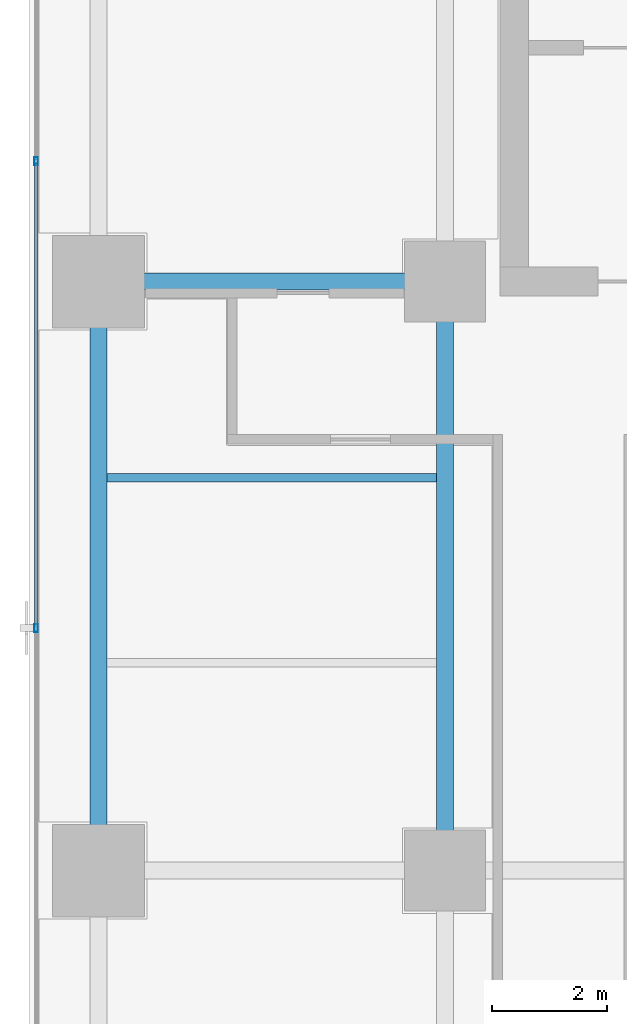
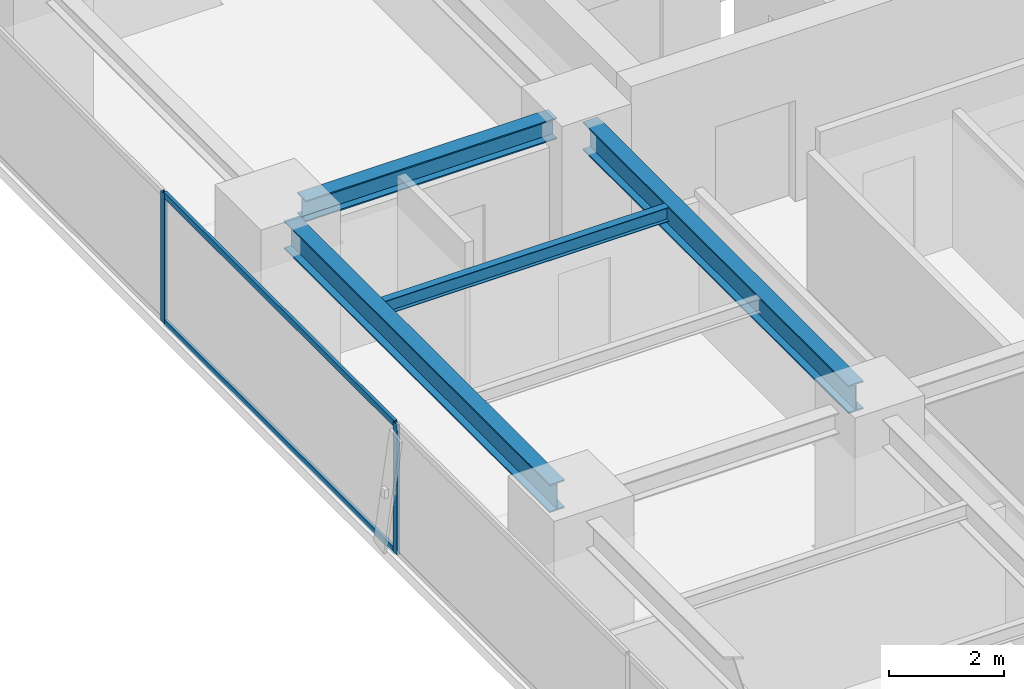
# One storey, part 8 of 29: 4 beams, 4 members, 1 element without a shape of its own.
"""IFC4 building model written with IfcOpenShell, lengths in metres."""

import ifcopenshell
import ifcopenshell.guid

model = None  # the IFC model being written
_history = None  # IfcOwnerHistory: only IFC2X3 demands one
_inside = {}  # id of a spatial element -> (the spatial element, [elements in it])
_under = {}  # id of a project, library or spatial element -> (it, [spatial elements below it])
_declared = {}  # id of a project -> (the project, [libraries it declares])
_typed = {}  # id of a type object -> (the type object, [elements of that type])
_made_of = {}  # id of a material, layer set ... -> (it, [elements and type objects made of it])


def new_model(schema):
    """Start an empty IFC model of exactly this schema.

    Asked for "IFC4X3", IfcOpenShell would pick the latest addendum, in which some entities
    have other attributes; the version numbers below select the first issue.
    IFC2X3 requires an IfcOwnerHistory on every rooted entity: one is made here for all.
    """
    global model, _history
    if schema == "IFC4X3":
        model = ifcopenshell.file(schema_version=(4, 3, 0, 0))
    else:
        model = ifcopenshell.file(schema=schema)
    _inside.clear()
    _under.clear()
    _declared.clear()
    _typed.clear()
    _made_of.clear()
    _history = None
    if model.schema == "IFC2X3":
        org = make("IfcOrganization", Name="unknown")
        user = make(
            "IfcPersonAndOrganization",
            ThePerson=make("IfcPerson", FamilyName="unknown"),
            TheOrganization=org,
        )
        app = make(
            "IfcApplication",
            ApplicationDeveloper=org,
            Version="unknown",
            ApplicationFullName="unknown",
            ApplicationIdentifier="unknown",
        )
        _history = make(
            "IfcOwnerHistory",
            OwningUser=user,
            OwningApplication=app,
            ChangeAction="ADDED",
            CreationDate=0,
        )
    return model


def make(cls, **values):
    """One entity of the class cls with the attributes given. An attribute that is None is left unset."""
    return model.create_entity(
        cls, **{name: value for name, value in values.items() if value is not None}
    )


def rooted(cls, **values):
    """An entity with a GlobalId (a new one), such as an element, a storey or a relation."""
    return make(cls, GlobalId=ifcopenshell.guid.new(), OwnerHistory=_history, **values)


def si_unit(unit_type, name, prefix=None):
    """IfcSIUnit, for example si_unit("LENGTHUNIT", "METRE", prefix="MILLI")."""
    return make("IfcSIUnit", UnitType=unit_type, Prefix=prefix, Name=name)


def assignment(units):
    """IfcUnitAssignment: the units of a project."""
    return None if units is None else make("IfcUnitAssignment", Units=units)


def point(xyz):
    """IfcCartesianPoint."""
    return None if xyz is None else make("IfcCartesianPoint", Coordinates=xyz)


def direction(xyz):
    """IfcDirection."""
    return None if xyz is None else make("IfcDirection", DirectionRatios=xyz)


def frame(location, z_axis=None, x_axis=None):
    """IfcAxis2Placement3D, a coordinate frame: its origin and axes. An axis left out is left unset."""
    return make(
        "IfcAxis2Placement3D",
        Location=point(location),
        Axis=direction(z_axis),
        RefDirection=direction(x_axis),
    )


def frame_2d(location, x_axis=None):
    """IfcAxis2Placement2D, a coordinate frame in the plane: its origin and x axis."""
    return make(
        "IfcAxis2Placement2D", Location=point(location), RefDirection=direction(x_axis)
    )


def origin():
    """The frame at (0, 0, 0) with its axes left unset."""
    return frame((0.0, 0.0, 0.0))


def origin_2d():
    """The frame at (0, 0) in the plane with its x axis left unset."""
    return frame_2d((0.0, 0.0))


def place(relative_to, where):
    """IfcLocalPlacement: puts the frame where relative to a parent placement (None: the world)."""
    return make(
        "IfcLocalPlacement", PlacementRelTo=relative_to, RelativePlacement=where
    )


def context(
    kind, dimensions, precision=None, world=None, true_north=None, identifier=None
):
    """IfcGeometricRepresentationContext, for example the 3D "Model" context."""
    return make(
        "IfcGeometricRepresentationContext",
        ContextIdentifier=identifier,
        ContextType=kind,
        CoordinateSpaceDimension=dimensions,
        Precision=precision,
        WorldCoordinateSystem=world,
        TrueNorth=true_north,
    )


def subcontext(parent, identifier, kind, view, scale=None):
    """IfcGeometricRepresentationSubContext, for example "Body" below "Model"."""
    return make(
        "IfcGeometricRepresentationSubContext",
        ContextIdentifier=identifier,
        ContextType=kind,
        ParentContext=parent,
        TargetScale=scale,
        TargetView=view,
    )


def project(units=None, contexts=None):
    """IfcProject with its units and contexts."""
    return rooted(
        "IfcProject",
        Name="project",
        RepresentationContexts=contexts,
        UnitsInContext=assignment(units),
    )


def spatial(cls, under=None, at=None, **own):
    """A site, building, storey or space (cls), placed at a placement, below another one or the project."""
    s = rooted(cls, ObjectPlacement=at, **own)
    if under is not None:
        _under.setdefault(under.id(), (under, []))[1].append(s)
    return s


def profile(cls, at=None, kind="AREA", **sizes):
    """A parametric profile (cls). Its sizes go by their IFC names, for example OverallWidth=200.0."""
    return make(cls, ProfileType=kind, Position=at, **sizes)


def hollow_rectangle(**sizes):
    """IfcRectangleHollowProfileDef."""
    return profile("IfcRectangleHollowProfileDef", **sizes)


def i_section(**sizes):
    """IfcIShapeProfileDef."""
    return profile("IfcIShapeProfileDef", **sizes)


def extrude(swept, where, along, depth):
    """IfcExtrudedAreaSolid: the profile swept, set in the frame where, extruded along a direction by depth."""
    return make(
        "IfcExtrudedAreaSolid",
        SweptArea=swept,
        Position=where,
        ExtrudedDirection=direction(along),
        Depth=depth,
    )


def shape(context_of_items, identifier, shape_type, items):
    """IfcShapeRepresentation: the items that make up one representation, for example the "Body"."""
    return make(
        "IfcShapeRepresentation",
        ContextOfItems=context_of_items,
        RepresentationIdentifier=identifier,
        RepresentationType=shape_type,
        Items=items,
    )


def source(mapping_origin, context_of_items, identifier, shape_type, items):
    """IfcRepresentationMap: a shape defined once, which mapped items show again and again."""
    return make(
        "IfcRepresentationMap",
        MappingOrigin=mapping_origin,
        MappedRepresentation=shape(context_of_items, identifier, shape_type, items),
    )


def transform(
    local_origin,
    x_axis=None,
    y_axis=None,
    z_axis=None,
    scale=None,
    scale2=None,
    scale3=None,
    uniform=True,
):
    """IfcCartesianTransformationOperator3D, or its non-uniform kind. x_axis, y_axis, z_axis: its Axis1, 2, 3."""
    if uniform:
        return make(
            "IfcCartesianTransformationOperator3D",
            Axis1=direction(x_axis),
            Axis2=direction(y_axis),
            LocalOrigin=point(local_origin),
            Scale=scale,
            Axis3=direction(z_axis),
        )
    return make(
        "IfcCartesianTransformationOperator3DnonUniform",
        Axis1=direction(x_axis),
        Axis2=direction(y_axis),
        LocalOrigin=point(local_origin),
        Scale=scale,
        Axis3=direction(z_axis),
        Scale2=scale2,
        Scale3=scale3,
    )


def mapped(mapping_source, mapping_target):
    """IfcMappedItem: shows the shape of a source again, moved by a transform."""
    return make(
        "IfcMappedItem", MappingSource=mapping_source, MappingTarget=mapping_target
    )


def material(Name=None, Category=None):
    """IfcMaterial."""
    return make("IfcMaterial", Name=Name, Category=Category)


def layer(
    of_material, thickness, ventilated=None, Name=None, Category=None, Priority=None
):
    """IfcMaterialLayer: one layer of a wall or slab, of a material (None: an air gap)."""
    return make(
        "IfcMaterialLayer",
        Material=of_material,
        LayerThickness=thickness,
        IsVentilated=ventilated,
        Name=Name,
        Category=Category,
        Priority=Priority,
    )


def layer_set(layers, Name=None):
    """IfcMaterialLayerSet."""
    return make("IfcMaterialLayerSet", MaterialLayers=layers, LayerSetName=Name)


def material_profile(
    of_material, cross_section, Name=None, Category=None, Priority=None
):
    """IfcMaterialProfile: a cross section and its material."""
    return make(
        "IfcMaterialProfile",
        Name=Name,
        Material=of_material,
        Profile=cross_section,
        Priority=Priority,
        Category=Category,
    )


def profile_set(profiles, Name=None, composite=None):
    """IfcMaterialProfileSet."""
    return make(
        "IfcMaterialProfileSet",
        Name=Name,
        MaterialProfiles=profiles,
        CompositeProfile=composite,
    )


def made_of(thing, what):
    """Note that an element or type object is made of a material, layer set ...; save() writes the relation."""
    if what is not None:
        _made_of.setdefault(what.id(), (what, []))[1].append(thing)
    return thing


def type_object(cls, material=None, **own):
    """A type object (cls), such as IfcWallType, which elements share."""
    return made_of(rooted(cls, **own), material)


def element(
    cls,
    number,
    at=None,
    inside=None,
    cuts=None,
    type_object=None,
    material=None,
    context=None,
    identifier="Body",
    shape_type=None,
    held_by="IfcProductDefinitionShape",
    body=None,
    shapes=None,
    **own,
):
    """One element of the class cls, such as IfcWall. Its Tag is "e" and its number.

    at: its placement. inside: the storey or other place that contains it. cuts: it is an
    opening in that element (IfcRelVoidsElement). A single representation is given by context,
    identifier, shape_type and body (its items); several are given by shapes. held_by: the class
    of the entity that holds the representations. save() writes the other relations.
    """
    e = rooted(cls, Tag="e%d" % number, ObjectPlacement=at, **own)
    if body is not None:
        shapes = [shape(context, identifier, shape_type, body)]
    if shapes is not None:
        e.Representation = make(held_by, Representations=shapes)
    if inside is not None:
        _inside.setdefault(inside.id(), (inside, []))[1].append(e)
    if cuts is not None:
        rooted(
            "IfcRelVoidsElement", RelatingBuildingElement=cuts, RelatedOpeningElement=e
        )
    if type_object is not None:
        _typed.setdefault(type_object.id(), (type_object, []))[1].append(e)
    return made_of(e, material)


def aggregate(whole, parts):
    """IfcRelAggregates: a whole, such as a stair, and the parts it consists of."""
    return rooted("IfcRelAggregates", RelatingObject=whole, RelatedObjects=parts)


def save(model, path):
    """Write the relations noted so far, then the file.

    IfcRelAggregates (storeys below a building ...), IfcRelContainedInSpatialStructure (elements
    in a storey), IfcRelDefinesByType, IfcRelAssociatesMaterial and IfcRelDeclares: one each for
    every whole, place, type object, material and project.
    """
    for whole, parts in _under.values():
        aggregate(whole, parts)
    for where, things in _inside.values():
        rooted(
            "IfcRelContainedInSpatialStructure",
            RelatedElements=things,
            RelatingStructure=where,
        )
    for kind, things in _typed.values():
        rooted("IfcRelDefinesByType", RelatedObjects=things, RelatingType=kind)
    for what, things in _made_of.values():
        rooted("IfcRelAssociatesMaterial", RelatedObjects=things, RelatingMaterial=what)
    for by, libraries in _declared.values():
        rooted("IfcRelDeclares", RelatingContext=by, RelatedDefinitions=libraries)
    model.write(path)


model = new_model("IFC4")

# Units and contexts
model_context = context("Model", 3, precision=1e-05, world=origin(), true_north=direction((0.0, 1.0)))
body_context = subcontext(model_context, "Body", "Model", "MODEL_VIEW")
ifc_project = project(units=[si_unit("LENGTHUNIT", "METRE"), si_unit("AREAUNIT", "SQUARE_METRE"), si_unit("VOLUMEUNIT", "CUBIC_METRE"), si_unit("PLANEANGLEUNIT", "RADIAN"), si_unit("MASSUNIT", "GRAM", prefix="KILO")], contexts=[model_context])

# Site, building, storey
site_placement = place(None, origin())
site = spatial("IfcSite", under=ifc_project, at=site_placement, CompositionType="ELEMENT")
building_placement = place(site_placement, origin())
building = spatial("IfcBuilding", under=site, at=building_placement, Name="Sumidabori Civic Tower", CompositionType="ELEMENT")
storey_placement = place(building_placement, frame((0.0, 0.0, 218.0)))
storey = spatial("IfcBuildingStorey", under=building, at=storey_placement, Name="L56", CompositionType="ELEMENT", Elevation=218.0)

# Beams
ifc_material_1 = material(Name="Steel SN490", Category="steel")
ifc_material_profile_1 = material_profile(ifc_material_1, i_section(OverallWidth=0.300048828125, OverallDepth=0.60009765625, WebThickness=0.015380859375, FlangeThickness=0.030029296875, at=origin_2d()), Name="HE 600 B")
ifc_profile_set_1 = profile_set([ifc_material_profile_1], Name="Steel SN490")
beam_type_1 = type_object("IfcBeamType", Name="BM-GIRD-600", PredefinedType="BEAM", material=ifc_profile_set_1)
shared_shape_1 = source(origin(), body_context, "Body", "SweptSolid", [
    extrude(i_section(OverallWidth=0.300048828125, OverallDepth=0.60009765625, WebThickness=0.015380859375, FlangeThickness=0.030029296875, at=origin_2d()), origin(), (0.0, 0.0, 1.0), 9.239990234375),
])
for number, where, z_axis, x_axis, name in (
    (1, (-22.800048828125, 0.47998046875, 3.080078125), (0.0, 1.0, 0.0), (-1.0, 0.0, 0.0), "Primary Girder L56 GY-12"),
    (2, (-16.800048828125, 0.47998046875, 3.080078125), (0.0, 1.0, 0.0), (-1.0, 0.0, 0.0), "Primary Girder L56 GY-15"),
):
    element("IfcBeam", number, at=place(storey_placement, frame(where, z_axis=z_axis, x_axis=x_axis)), inside=storey, type_object=beam_type_1, Name=name, PredefinedType="BEAM", context=body_context, shape_type="MappedRepresentation", body=[
        mapped(shared_shape_1, transform((0.0, 0.0, 0.0), x_axis=(1.0, 0.0, 0.0), y_axis=(0.0, 1.0, 0.0), z_axis=(0.0, 0.0, 1.0), scale=1.0)),
    ])
ifc_material_profile_2 = material_profile(ifc_material_1, i_section(OverallWidth=0.14990234375, OverallDepth=0.300048828125, WebThickness=0.007080078125, FlangeThickness=0.0107421875, at=origin_2d()), Name="IPE 300")
ifc_profile_set_2 = profile_set([ifc_material_profile_2], Name="Steel SN490")
beam_type_2 = type_object("IfcBeamType", Name="BM-JST-300", PredefinedType="JOIST", material=ifc_profile_set_2)
shared_shape_2 = source(origin(), body_context, "Body", "SweptSolid", [
    extrude(i_section(OverallWidth=0.14990234375, OverallDepth=0.300048828125, WebThickness=0.007080078125, FlangeThickness=0.0107421875, at=origin_2d()), origin(), (0.0, 0.0, 1.0), 5.699951171875),
])
beam_1_placement = place(storey_placement, frame((-22.64990234375, 6.800048828125, 3.22998046875), z_axis=(1.0, 0.0, 0.0), x_axis=(0.0, 1.0, 0.0)))
element("IfcBeam", 3, at=beam_1_placement, inside=storey, type_object=beam_type_2, Name="Outer Bay Floor Joist L56 JSTO-31", PredefinedType="JOIST", context=body_context, shape_type="MappedRepresentation", body=[
    mapped(shared_shape_2, transform((0.0, 0.0, 0.0), x_axis=(1.0, 0.0, 0.0), y_axis=(0.0, 1.0, 0.0), z_axis=(0.0, 0.0, 1.0), scale=1.0)),
])
ifc_material_profile_3 = material_profile(ifc_material_1, i_section(OverallWidth=0.300048828125, OverallDepth=0.449951171875, WebThickness=0.013916015625, FlangeThickness=0.02587890625, at=origin_2d()), Name="HE 450 B")
ifc_profile_set_3 = profile_set([ifc_material_profile_3], Name="Steel SN490")
beam_type_3 = type_object("IfcBeamType", Name="BM-GIRD-450", PredefinedType="BEAM", material=ifc_profile_set_3)
shared_shape_3 = source(origin(), body_context, "Body", "SweptSolid", [
    extrude(i_section(OverallWidth=0.300048828125, OverallDepth=0.449951171875, WebThickness=0.013916015625, FlangeThickness=0.02587890625, at=origin_2d()), origin(), (0.0, 0.0, 1.0), 5.0400390625),
])
beam_2_placement = place(storey_placement, frame((-22.320068359375, 10.199951171875, 3.155029296875), z_axis=(1.0, 0.0, 0.0), x_axis=(0.0, 1.0, 0.0)))
element("IfcBeam", 4, at=beam_2_placement, inside=storey, type_object=beam_type_3, Name="Primary Girder L56 GX-09", PredefinedType="BEAM", context=body_context, shape_type="MappedRepresentation", body=[
    mapped(shared_shape_3, transform((0.0, 0.0, 0.0), x_axis=(1.0, 0.0, 0.0), y_axis=(0.0, 1.0, 0.0), z_axis=(0.0, 0.0, 1.0), scale=1.0)),
])

# Curtain wall, members
ifc_material_2 = material(Name="Anodised Bronze Aluminium AW-6063-T6", Category="aluminium")
ifc_layer = layer(ifc_material_2, 0.179931640625, Name="Anodised Bronze Aluminium AW-6063-T6")
ifc_layer_set = layer_set([ifc_layer], Name="Anodised Bronze Aluminium AW-6063-T6")
curtain_wall_type = type_object("IfcCurtainWallType", Name="CW-SYS-5", PredefinedType="NOTDEFINED", material=ifc_layer_set)
curtain_wall_placement = place(storey_placement, origin())
curtain_wall = element("IfcCurtainWall", 5, at=curtain_wall_placement, inside=storey, type_object=curtain_wall_type, Name="Curtain Wall CW:L56:R16", PredefinedType="NOTDEFINED")
ifc_material_profile_4 = material_profile(ifc_material_2, hollow_rectangle(XDim=0.06005859375, YDim=0.139892578125, WallThickness=0.0048828125, at=origin_2d()), Name="ALU MULLION 140x60")
ifc_profile_set_4 = profile_set([ifc_material_profile_4], Name="Anodised Bronze Aluminium AW-6063-T6")
member_type_1 = type_object("IfcMemberType", Name="CW-MUL-140", PredefinedType="MULLION", material=ifc_profile_set_4)
shared_shape_4 = source(origin(), body_context, "Body", "SweptSolid", [
    extrude(hollow_rectangle(XDim=0.06005859375, YDim=0.139892578125, WallThickness=0.0048828125, at=origin_2d()), origin(), (0.0, 0.0, 1.0), 2.760009765625),
])
member_1_placement = place(storey_placement, frame((-23.8798828125, 12.284912109375, 0.0), z_axis=(0.0, 0.0, 1.0), x_axis=(1.0, 0.0, 0.0)))
member_1 = element("IfcMember", 6, at=member_1_placement, type_object=member_type_1, Name="CW-5 mullion 2", PredefinedType="MULLION", context=body_context, shape_type="MappedRepresentation", body=[
    mapped(shared_shape_4, transform((0.0, 0.0, 0.0), x_axis=(1.0, 0.0, 0.0), y_axis=(0.0, 1.0, 0.0), z_axis=(0.0, 0.0, 1.0), scale=1.0)),
])
member_2_placement = place(storey_placement, frame((-23.8798828125, 4.199951171875, 0.0), z_axis=(0.0, 0.0, 1.0), x_axis=(1.0, 0.0, 0.0)))
member_2 = element("IfcMember", 7, at=member_2_placement, type_object=member_type_1, Name="CW-5 mullion 3", PredefinedType="MULLION", context=body_context, shape_type="MappedRepresentation", body=[
    mapped(shared_shape_4, transform((0.0, 0.0, 0.0), x_axis=(1.0, 0.0, 0.0), y_axis=(0.0, 1.0, 0.0), z_axis=(0.0, 0.0, 1.0), scale=1.0)),
])
ifc_material_profile_5 = material_profile(ifc_material_2, hollow_rectangle(XDim=0.06005859375, YDim=0.1298828125, WallThickness=0.0048828125, at=origin_2d()), Name="ALU TRANSOM 130x60")
ifc_profile_set_5 = profile_set([ifc_material_profile_5], Name="Anodised Bronze Aluminium AW-6063-T6")
member_type_2 = type_object("IfcMemberType", Name="CW-TRN-130", PredefinedType="USERDEFINED", material=ifc_profile_set_5)
shared_shape_5 = source(origin(), body_context, "Body", "SweptSolid", [
    extrude(hollow_rectangle(XDim=0.06005859375, YDim=0.1298828125, WallThickness=0.0048828125, at=origin_2d()), origin(), (0.0, 0.0, 1.0), 8.02490234375),
])
member_3_placement = place(storey_placement, frame((-23.8798828125, 12.2548828125, 0.030029296875), z_axis=(0.0, -1.0, 0.0), x_axis=(1.0, 0.0, 0.0)))
member_3 = element("IfcMember", 8, at=member_3_placement, type_object=member_type_2, Name="CW-5 transom 2.1", ObjectType="TRANSOM", PredefinedType="USERDEFINED", context=body_context, shape_type="MappedRepresentation", body=[
    mapped(shared_shape_5, transform((0.0, 0.0, 0.0), x_axis=(1.0, 0.0, 0.0), y_axis=(0.0, 1.0, 0.0), z_axis=(0.0, 0.0, 1.0), scale=1.0)),
])
member_4_placement = place(storey_placement, frame((-23.8798828125, 12.2548828125, 2.72998046875), z_axis=(0.0, -1.0, 0.0), x_axis=(1.0, 0.0, 0.0)))
member_4 = element("IfcMember", 9, at=member_4_placement, type_object=member_type_2, Name="CW-5 transom 2.2", ObjectType="TRANSOM", PredefinedType="USERDEFINED", context=body_context, shape_type="MappedRepresentation", body=[
    mapped(shared_shape_5, transform((0.0, 0.0, 0.0), x_axis=(1.0, 0.0, 0.0), y_axis=(0.0, 1.0, 0.0), z_axis=(0.0, 0.0, 1.0), scale=1.0)),
])
aggregate(curtain_wall, [member_1, member_2, member_3, member_4])

save(model, "model.ifc")
